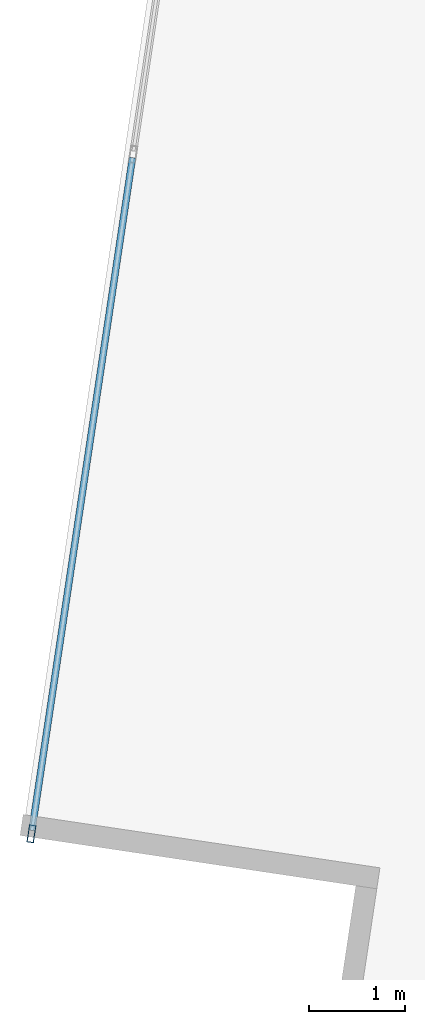
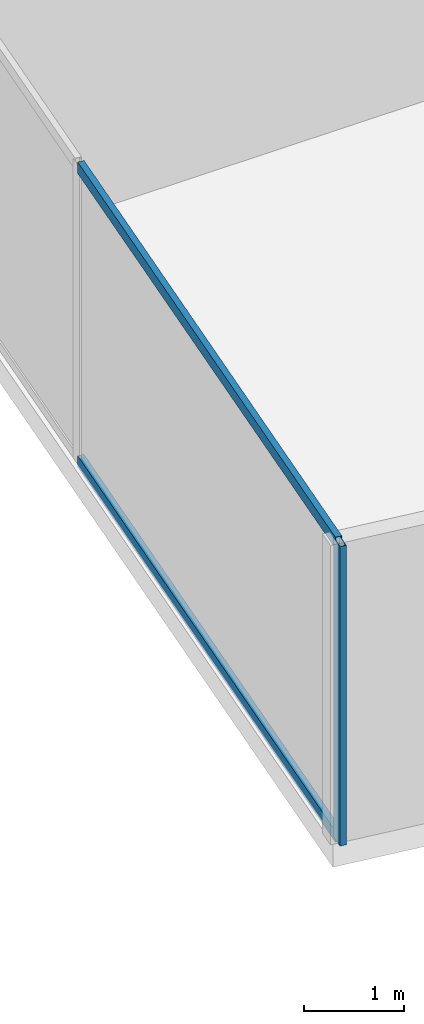
# One storey, part 3 of 29: 3 members, 1 element without a shape of its own.
"""IFC4 building model written with IfcOpenShell, lengths in metres."""

from ifc_helpers import new_model, si_unit, direction, frame, origin, origin_2d, place, context, subcontext, project, spatial, hollow_rectangle, extrude, source, transform, mapped, material, material_profile, profile_set, type_object, type_shapes, element, aggregate, save


model = new_model("IFC4")

# Units and contexts
model_context = context("Model", 3, precision=1e-05, world=origin(), true_north=direction((0.0, 1.0)))
body_context = subcontext(model_context, "Body", "Model", "MODEL_VIEW")
ifc_project = project(units=[si_unit("LENGTHUNIT", "METRE"), si_unit("AREAUNIT", "SQUARE_METRE"), si_unit("VOLUMEUNIT", "CUBIC_METRE"), si_unit("PLANEANGLEUNIT", "RADIAN"), si_unit("MASSUNIT", "GRAM", prefix="KILO")], contexts=[model_context])

# Site, building, storey
site_placement = place(None, origin())
site = spatial("IfcSite", under=ifc_project, at=site_placement, CompositionType="ELEMENT")
building_placement = place(site_placement, origin())
building = spatial("IfcBuilding", under=site, at=building_placement, Name="Krantzveldt Concourse Tower", CompositionType="ELEMENT")
storey_placement = place(building_placement, frame((0.0, 0.0, 68.449951171875)))
storey = spatial("IfcBuildingStorey", under=building, at=storey_placement, Name="L16", CompositionType="ELEMENT", Elevation=68.449951171875)

# Curtain wall, members
ifc_material = material(Name="Anodised aluminium 6063-T6", Category="aluminium")
curtain_wall_type = type_object("IfcCurtainWallType", Name="CW2", PredefinedType="USERDEFINED", material=ifc_material)
curtain_wall_placement = place(storey_placement, origin())
curtain_wall = element("IfcCurtainWall", 1, at=curtain_wall_placement, inside=storey, type_object=curtain_wall_type, Name="CW-L16-F01", ObjectType="UNITISED CURTAIN WALL", PredefinedType="USERDEFINED")
ifc_material_profile_1 = material_profile(ifc_material, hollow_rectangle(XDim=0.070068359375, YDim=0.139892578125, WallThickness=0.0048828125, at=origin_2d()), Name="Anodised aluminium 6063-T6", Category="aluminium")
ifc_profile_set_1 = profile_set([ifc_material_profile_1], Name="Anodised aluminium 6063-T6 - ALU-TRAN 140x70x5")
member_type_1 = type_object("IfcMemberType", Name="CW-TRN-150", PredefinedType="USERDEFINED", material=ifc_profile_set_1)
shared_shape_1 = source(origin(), body_context, "Body", "SweptSolid", [
    extrude(hollow_rectangle(XDim=0.070068359375, YDim=0.139892578125, WallThickness=0.0048828125, at=origin_2d()), origin(), (0.0, 0.0, 1.0), 7.061767578125),
])
type_shapes(member_type_1, [shared_shape_1])
member_1_placement = place(storey_placement, frame((9.23974609375, 16.17138671875, 0.03515625), z_axis=(-0.147797751082, -0.989017605897, 0.0), x_axis=(0.989017605897, -0.147797751082, 0.0)))
member_1 = element("IfcMember", 2, at=member_1_placement, type_object=member_type_1, Name="CW-Z12 transom 6.1", ObjectType="TRANSOM", PredefinedType="USERDEFINED", context=body_context, shape_type="MappedRepresentation", body=[
    mapped(shared_shape_1, transform((0.0, 0.0, 0.0), x_axis=(1.0, 0.0, 0.0), y_axis=(0.0, 1.0, 0.0), z_axis=(0.0, 0.0, 1.0), scale=1.0)),
])
member_2_placement = place(storey_placement, frame((9.23974609375, 16.17138671875, 3.635009765625), z_axis=(-0.147797751082, -0.989017605897, 0.0), x_axis=(0.989017605897, -0.147797751082, 0.0)))
member_2 = element("IfcMember", 3, at=member_2_placement, type_object=member_type_1, Name="CW-Z12 transom 6.2", ObjectType="TRANSOM", PredefinedType="USERDEFINED", context=body_context, shape_type="MappedRepresentation", body=[
    mapped(shared_shape_1, transform((0.0, 0.0, 0.0), x_axis=(1.0, 0.0, 0.0), y_axis=(0.0, 1.0, 0.0), z_axis=(0.0, 0.0, 1.0), scale=1.0)),
])
ifc_material_profile_2 = material_profile(ifc_material, hollow_rectangle(XDim=0.070068359375, YDim=0.179931640625, WallThickness=0.0048828125, at=origin_2d()), Name="Anodised aluminium 6063-T6", Category="aluminium")
ifc_profile_set_2 = profile_set([ifc_material_profile_2], Name="Anodised aluminium 6063-T6 - ALU-MULL 180x70x5")
member_type_2 = type_object("IfcMemberType", Name="CW-MUL-180", PredefinedType="MULLION", material=ifc_profile_set_2)
shared_shape_2 = source(origin(), body_context, "Body", "SweptSolid", [
    extrude(hollow_rectangle(XDim=0.070068359375, YDim=0.179931640625, WallThickness=0.0048828125, at=origin_2d()), origin(), (0.0, 0.0, 1.0), 3.670166015625),
])
type_shapes(member_type_2, [shared_shape_2])
member_3_placement = place(storey_placement, frame((8.19091796875, 9.152587890625, 0.0), z_axis=(0.0, 0.0, 1.0), x_axis=(0.989015849271, -0.147809505412, 0.0)))
member_3 = element("IfcMember", 4, at=member_3_placement, type_object=member_type_2, Name="CW-Z12 mullion 7", PredefinedType="MULLION", context=body_context, shape_type="MappedRepresentation", body=[
    mapped(shared_shape_2, transform((0.0, 0.0, 0.0), x_axis=(1.0, 0.0, 0.0), y_axis=(0.0, 1.0, 0.0), z_axis=(0.0, 0.0, 1.0), scale=1.0)),
])
aggregate(curtain_wall, [member_3, member_1, member_2])

save(model, "model.ifc")
